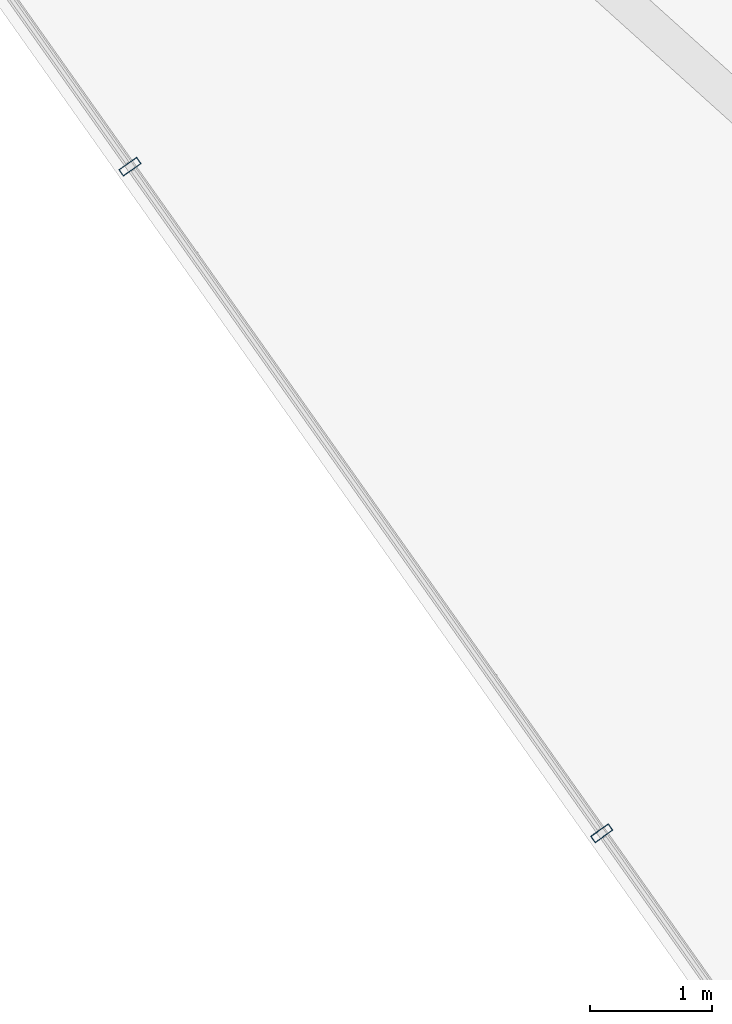
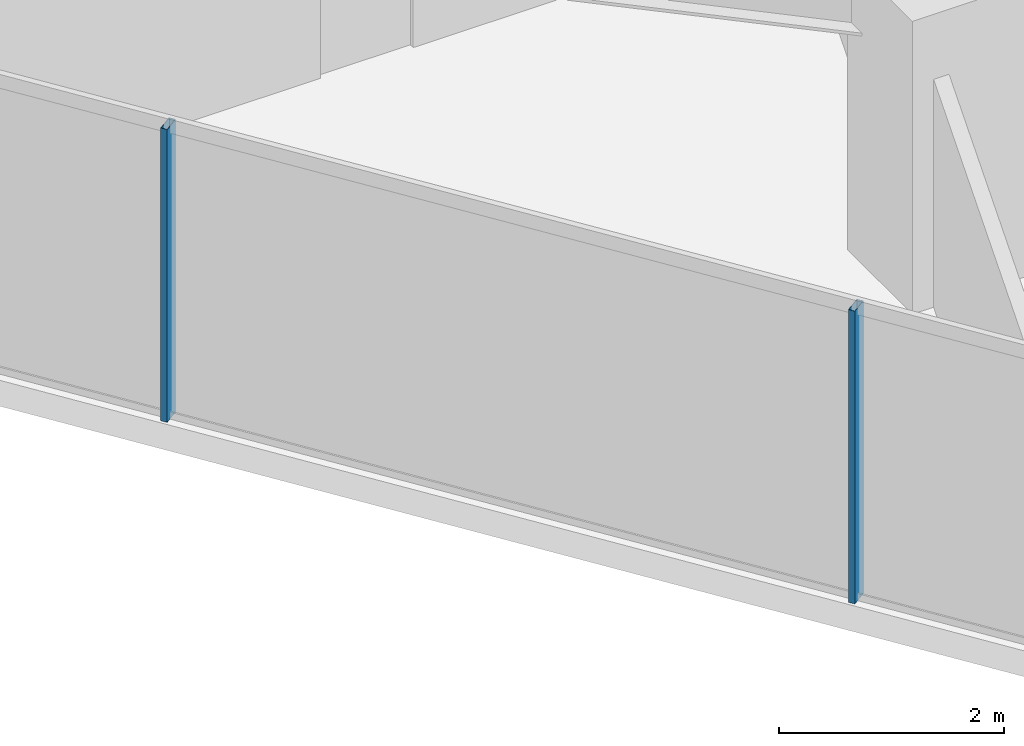
# One storey, part 2 of 30: 2 members, 1 element without a shape of its own.
"""IFC4 building model written with IfcOpenShell, lengths in metres."""

from ifc_helpers import new_model, si_unit, direction, frame, origin, origin_2d, place, context, subcontext, project, spatial, hollow_rectangle, extrude, material, layer, layer_set, material_profile, profile_set, type_object, element, aggregate, save


model = new_model("IFC4")

# Units and contexts
model_context = context("Model", 3, precision=1e-05, world=origin(), true_north=direction((0.0, 1.0)))
body_context = subcontext(model_context, "Body", "Model", "MODEL_VIEW")
ifc_project = project(units=[si_unit("LENGTHUNIT", "METRE"), si_unit("AREAUNIT", "SQUARE_METRE"), si_unit("VOLUMEUNIT", "CUBIC_METRE"), si_unit("PLANEANGLEUNIT", "RADIAN"), si_unit("MASSUNIT", "GRAM", prefix="KILO")], contexts=[model_context])

# Site, building, storey
site_placement = place(None, origin())
site = spatial("IfcSite", under=ifc_project, at=site_placement, CompositionType="ELEMENT")
building_placement = place(site_placement, origin())
building = spatial("IfcBuilding", under=site, at=building_placement, Name="Qarnah Convention Tower", CompositionType="ELEMENT")
storey_placement = place(building_placement, frame((0.0, 0.0, 86.699951171875)))
storey = spatial("IfcBuildingStorey", under=building, at=storey_placement, Name="L22", CompositionType="ELEMENT", Elevation=86.699951171875)

# Curtain wall, members
ifc_material_1 = material(Name="Tempered Low-E dark glass", Category="glass")
ifc_layer = layer(ifc_material_1, 0.169921875)
ifc_layer_set = layer_set([ifc_layer], Name="Tempered Low-E dark glass")
curtain_wall_type = type_object("IfcCurtainWallType", Name="CWS-02", PredefinedType="NOTDEFINED", material=ifc_layer_set)
curtain_wall_placement = place(storey_placement, origin())
curtain_wall = element("IfcCurtainWall", 1, at=curtain_wall_placement, inside=storey, type_object=curtain_wall_type, Name="L22 unitised curtain wall CW-L22-F2", PredefinedType="NOTDEFINED")
ifc_material_2 = material(Name="Black anodised aluminium", Category="aluminium")
ifc_material_profile = material_profile(ifc_material_2, hollow_rectangle(XDim=0.06494140625, YDim=0.179931640625, WallThickness=0.00390625, at=origin_2d()), Name="MUL-65X180")
ifc_profile_set = profile_set([ifc_material_profile], Name="Black anodised aluminium")
member_type = type_object("IfcMemberType", Name="MUL-T2", PredefinedType="MULLION", material=ifc_profile_set)
member_1_placement = place(storey_placement, frame((29.161376953125, 7.392822265625, 0.0), z_axis=(0.0, 0.0, 1.0), x_axis=(-0.57758672318, 0.81632933134, 0.0)))
member_1 = element("IfcMember", 2, at=member_1_placement, type_object=member_type, Name="CW-L22-F2 mullion 2", PredefinedType="MULLION", context=body_context, shape_type="SweptSolid", body=[
    extrude(hollow_rectangle(XDim=0.06494140625, YDim=0.179931640625, WallThickness=0.00390625, at=origin_2d()), origin(), (0.0, 0.0, 1.0), 3.170166015625),
])
member_2_placement = place(storey_placement, frame((25.28271484375, 12.87451171875, 0.0), z_axis=(0.0, 0.0, 1.0), x_axis=(-0.57758672318, 0.81632933134, 0.0)))
member_2 = element("IfcMember", 3, at=member_2_placement, type_object=member_type, Name="CW-L22-F2 mullion 3", PredefinedType="MULLION", context=body_context, shape_type="SweptSolid", body=[
    extrude(hollow_rectangle(XDim=0.06494140625, YDim=0.179931640625, WallThickness=0.00390625, at=origin_2d()), origin(), (0.0, 0.0, 1.0), 3.170166015625),
])
aggregate(curtain_wall, [member_1, member_2])

save(model, "model.ifc")
